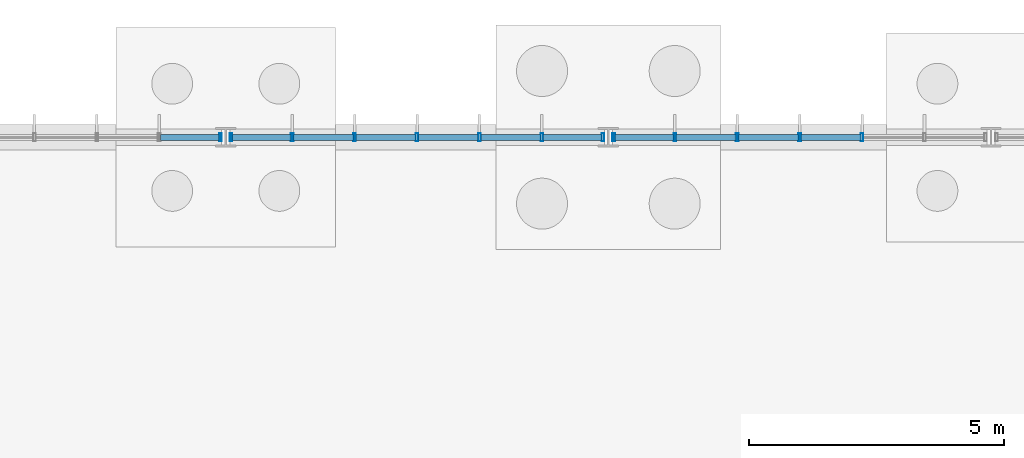
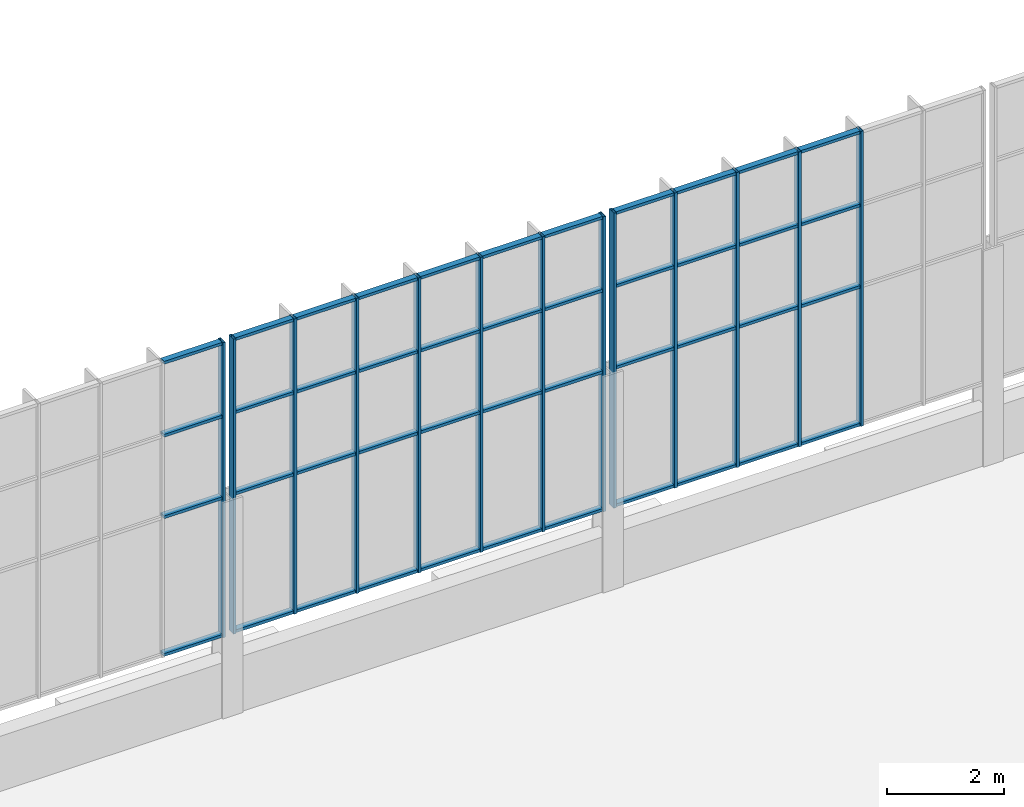
# One storey, part 66 of 136: 57 members, 3 elements without a shape of their own.
"""IFC4 building model written with IfcOpenShell, lengths in metres."""

from ifc_helpers import new_model, si_unit, direction, frame, origin, origin_2d, place, context, subcontext, project, spatial, hollow_rectangle, extrude, material, layer, layer_set, material_profile, profile_set, type_object, element, aggregate, save


model = new_model("IFC4")

# Units and contexts
model_context = context("Model", 3, precision=1e-05, world=origin(), true_north=direction((0.0, 1.0)))
body_context = subcontext(model_context, "Body", "Model", "MODEL_VIEW")
ifc_project = project(units=[si_unit("LENGTHUNIT", "METRE"), si_unit("AREAUNIT", "SQUARE_METRE"), si_unit("VOLUMEUNIT", "CUBIC_METRE"), si_unit("PLANEANGLEUNIT", "RADIAN"), si_unit("MASSUNIT", "GRAM", prefix="KILO")], contexts=[model_context])

# Site, building, storey
site_placement = place(None, origin())
site = spatial("IfcSite", under=ifc_project, at=site_placement, CompositionType="ELEMENT")
building_placement = place(site_placement, origin())
building = spatial("IfcBuilding", under=site, at=building_placement, Name="Solvenia Promenade Tram Depot", CompositionType="ELEMENT")
storey_placement = place(building_placement, origin())
storey = spatial("IfcBuildingStorey", under=building, at=storey_placement, Name="L00", CompositionType="ELEMENT", Elevation=0.0)

# Curtain wall, member
ifc_material = material(Name="Anodized aluminium AW-6063 T6", Category="aluminium")
ifc_layer = layer(ifc_material, 0.159912109375, Name="Anodized aluminium AW-6063 T6", Category="aluminium")
ifc_layer_set = layer_set([ifc_layer], Name="Anodized aluminium AW-6063 T6")
curtain_wall_type = type_object("IfcCurtainWallType", Name="CW-Channel-1200", PredefinedType="NOTDEFINED", material=ifc_layer_set)
curtain_wall_1_placement = place(storey_placement, origin())
curtain_wall_1 = element("IfcCurtainWall", 1, at=curtain_wall_1_placement, inside=storey, type_object=curtain_wall_type, Name="North Translucent Channel-Glass Wall 11", PredefinedType="NOTDEFINED")
ifc_material_profile_1 = material_profile(ifc_material, hollow_rectangle(XDim=0.159912109375, YDim=0.052001953125, WallThickness=0.00390625, at=origin_2d()), Name="ALU-M1", Category="aluminium")
ifc_profile_set_1 = profile_set([ifc_material_profile_1], Name="Anodized aluminium AW-6063 T6")
member_type_1 = type_object("IfcMemberType", Name="CWM-Mullion-1", PredefinedType="MULLION", material=ifc_profile_set_1)
member_1_placement = place(storey_placement, frame((82.39404296875, 126.0, 1.60009765625), z_axis=(0.0, 0.0, 1.0), x_axis=(0.0, 1.0, 0.0)))
member_1 = element("IfcMember", 2, at=member_1_placement, type_object=member_type_1, Name="CW-1 mullion 7", PredefinedType="MULLION", context=body_context, shape_type="SweptSolid", body=[
    extrude(hollow_rectangle(XDim=0.159912109375, YDim=0.052001953125, WallThickness=0.00390625, at=origin_2d()), origin(), (0.0, 0.0, 1.0), 6.14990234375),
])

# Curtain wall, members
curtain_wall_2_placement = place(storey_placement, origin())
curtain_wall_2 = element("IfcCurtainWall", 3, at=curtain_wall_2_placement, inside=storey, type_object=curtain_wall_type, Name="North Translucent Channel-Glass Wall 12", PredefinedType="NOTDEFINED")
member_2_placement = place(storey_placement, frame((82.60595703125, 126.0, 1.60009765625), z_axis=(0.0, 0.0, 1.0), x_axis=(0.0, 1.0, 0.0)))
member_2 = element("IfcMember", 4, at=member_2_placement, type_object=member_type_1, Name="CW-1 mullion 1", PredefinedType="MULLION", context=body_context, shape_type="SweptSolid", body=[
    extrude(hollow_rectangle(XDim=0.159912109375, YDim=0.052001953125, WallThickness=0.00390625, at=origin_2d()), origin(), (0.0, 0.0, 1.0), 6.14990234375),
])
member_3_placement = place(storey_placement, frame((83.80322265625, 126.0, 1.60009765625), z_axis=(0.0, 0.0, 1.0), x_axis=(0.0, 1.0, 0.0)))
member_3 = element("IfcMember", 5, at=member_3_placement, type_object=member_type_1, Name="CW-1 mullion 2", PredefinedType="MULLION", context=body_context, shape_type="SweptSolid", body=[
    extrude(hollow_rectangle(XDim=0.159912109375, YDim=0.052001953125, WallThickness=0.00390625, at=origin_2d()), origin(), (0.0, 0.0, 1.0), 6.14990234375),
])
member_4_placement = place(storey_placement, frame((85.026611328125, 126.0, 1.60009765625), z_axis=(0.0, 0.0, 1.0), x_axis=(0.0, 1.0, 0.0)))
member_4 = element("IfcMember", 6, at=member_4_placement, type_object=member_type_1, Name="CW-1 mullion 3", PredefinedType="MULLION", context=body_context, shape_type="SweptSolid", body=[
    extrude(hollow_rectangle(XDim=0.159912109375, YDim=0.052001953125, WallThickness=0.00390625, at=origin_2d()), origin(), (0.0, 0.0, 1.0), 6.14990234375),
])
member_5_placement = place(storey_placement, frame((86.25, 126.0, 1.60009765625), z_axis=(0.0, 0.0, 1.0), x_axis=(0.0, 1.0, 0.0)))
member_5 = element("IfcMember", 7, at=member_5_placement, type_object=member_type_1, Name="CW-1 mullion 4", PredefinedType="MULLION", context=body_context, shape_type="SweptSolid", body=[
    extrude(hollow_rectangle(XDim=0.159912109375, YDim=0.052001953125, WallThickness=0.00390625, at=origin_2d()), origin(), (0.0, 0.0, 1.0), 6.14990234375),
])
member_6_placement = place(storey_placement, frame((87.473388671875, 126.0, 1.60009765625), z_axis=(0.0, 0.0, 1.0), x_axis=(0.0, 1.0, 0.0)))
member_6 = element("IfcMember", 8, at=member_6_placement, type_object=member_type_1, Name="CW-1 mullion 5", PredefinedType="MULLION", context=body_context, shape_type="SweptSolid", body=[
    extrude(hollow_rectangle(XDim=0.159912109375, YDim=0.052001953125, WallThickness=0.00390625, at=origin_2d()), origin(), (0.0, 0.0, 1.0), 6.14990234375),
])
member_7_placement = place(storey_placement, frame((88.69677734375, 126.0, 1.60009765625), z_axis=(0.0, 0.0, 1.0), x_axis=(0.0, 1.0, 0.0)))
member_7 = element("IfcMember", 9, at=member_7_placement, type_object=member_type_1, Name="CW-1 mullion 6", PredefinedType="MULLION", context=body_context, shape_type="SweptSolid", body=[
    extrude(hollow_rectangle(XDim=0.159912109375, YDim=0.052001953125, WallThickness=0.00390625, at=origin_2d()), origin(), (0.0, 0.0, 1.0), 6.14990234375),
])
member_8_placement = place(storey_placement, frame((89.89404296875, 126.0, 1.60009765625), z_axis=(0.0, 0.0, 1.0), x_axis=(0.0, 1.0, 0.0)))
member_8 = element("IfcMember", 10, at=member_8_placement, type_object=member_type_1, Name="CW-1 mullion 7", PredefinedType="MULLION", context=body_context, shape_type="SweptSolid", body=[
    extrude(hollow_rectangle(XDim=0.159912109375, YDim=0.052001953125, WallThickness=0.00390625, at=origin_2d()), origin(), (0.0, 0.0, 1.0), 6.14990234375),
])

curtain_wall_3_placement = place(storey_placement, origin())
curtain_wall_3 = element("IfcCurtainWall", 11, at=curtain_wall_3_placement, inside=storey, type_object=curtain_wall_type, Name="North Translucent Channel-Glass Wall 13", PredefinedType="NOTDEFINED")
member_9_placement = place(storey_placement, frame((90.10595703125, 126.0, 1.60009765625), z_axis=(0.0, 0.0, 1.0), x_axis=(0.0, 1.0, 0.0)))
member_9 = element("IfcMember", 12, at=member_9_placement, type_object=member_type_1, Name="CW-1 mullion 1", PredefinedType="MULLION", context=body_context, shape_type="SweptSolid", body=[
    extrude(hollow_rectangle(XDim=0.159912109375, YDim=0.052001953125, WallThickness=0.00390625, at=origin_2d()), origin(), (0.0, 0.0, 1.0), 6.14990234375),
])
member_10_placement = place(storey_placement, frame((91.30322265625, 126.0, 1.60009765625), z_axis=(0.0, 0.0, 1.0), x_axis=(0.0, 1.0, 0.0)))
member_10 = element("IfcMember", 13, at=member_10_placement, type_object=member_type_1, Name="CW-1 mullion 2", PredefinedType="MULLION", context=body_context, shape_type="SweptSolid", body=[
    extrude(hollow_rectangle(XDim=0.159912109375, YDim=0.052001953125, WallThickness=0.00390625, at=origin_2d()), origin(), (0.0, 0.0, 1.0), 6.14990234375),
])
member_11_placement = place(storey_placement, frame((92.526611328125, 126.0, 1.60009765625), z_axis=(0.0, 0.0, 1.0), x_axis=(0.0, 1.0, 0.0)))
member_11 = element("IfcMember", 14, at=member_11_placement, type_object=member_type_1, Name="CW-1 mullion 3", PredefinedType="MULLION", context=body_context, shape_type="SweptSolid", body=[
    extrude(hollow_rectangle(XDim=0.159912109375, YDim=0.052001953125, WallThickness=0.00390625, at=origin_2d()), origin(), (0.0, 0.0, 1.0), 6.14990234375),
])
member_12_placement = place(storey_placement, frame((93.75, 126.0, 1.60009765625), z_axis=(0.0, 0.0, 1.0), x_axis=(0.0, 1.0, 0.0)))
member_12 = element("IfcMember", 15, at=member_12_placement, type_object=member_type_1, Name="CW-1 mullion 4", PredefinedType="MULLION", context=body_context, shape_type="SweptSolid", body=[
    extrude(hollow_rectangle(XDim=0.159912109375, YDim=0.052001953125, WallThickness=0.00390625, at=origin_2d()), origin(), (0.0, 0.0, 1.0), 6.14990234375),
])
member_13_placement = place(storey_placement, frame((94.973388671875, 126.0, 1.60009765625), z_axis=(0.0, 0.0, 1.0), x_axis=(0.0, 1.0, 0.0)))
member_13 = element("IfcMember", 16, at=member_13_placement, type_object=member_type_1, Name="CW-1 mullion 5", PredefinedType="MULLION", context=body_context, shape_type="SweptSolid", body=[
    extrude(hollow_rectangle(XDim=0.159912109375, YDim=0.052001953125, WallThickness=0.00390625, at=origin_2d()), origin(), (0.0, 0.0, 1.0), 6.14990234375),
])

# Member
ifc_material_profile_2 = material_profile(ifc_material, hollow_rectangle(XDim=0.1201171875, YDim=0.06005859375, WallThickness=0.00390625, at=origin_2d()), Name="ALU-T1", Category="aluminium")
ifc_profile_set_2 = profile_set([ifc_material_profile_2], Name="Anodized aluminium AW-6063 T6")
member_type_2 = type_object("IfcMemberType", Name="CWT-Transom-1", PredefinedType="USERDEFINED", material=ifc_profile_set_2)
member_14_placement = place(storey_placement, frame((81.22265625, 126.0, 1.6298828125), z_axis=(1.0, 0.0, 0.0), x_axis=(0.0, 1.0, 0.0)))
member_14 = element("IfcMember", 17, at=member_14_placement, type_object=member_type_2, Name="CW-1 transom 6.1", ObjectType="TRANSOM", PredefinedType="USERDEFINED", context=body_context, shape_type="SweptSolid", body=[
    extrude(hollow_rectangle(XDim=0.1201171875, YDim=0.06005859375, WallThickness=0.00390625, at=origin_2d()), origin(), (0.0, 0.0, 1.0), 1.145263671875),
])

member_15_placement = place(storey_placement, frame((81.22265625, 126.0, 4.5), z_axis=(1.0, 0.0, 0.0), x_axis=(0.0, 1.0, 0.0)))
member_15 = element("IfcMember", 18, at=member_15_placement, type_object=member_type_2, Name="CW-1 transom 6.2", ObjectType="TRANSOM", PredefinedType="USERDEFINED", context=body_context, shape_type="SweptSolid", body=[
    extrude(hollow_rectangle(XDim=0.1201171875, YDim=0.06005859375, WallThickness=0.00390625, at=origin_2d()), origin(), (0.0, 0.0, 1.0), 1.145263671875),
])

member_16_placement = place(storey_placement, frame((81.22265625, 126.0, 6.199951171875), z_axis=(1.0, 0.0, 0.0), x_axis=(0.0, 1.0, 0.0)))
member_16 = element("IfcMember", 19, at=member_16_placement, type_object=member_type_2, Name="CW-1 transom 6.3", ObjectType="TRANSOM", PredefinedType="USERDEFINED", context=body_context, shape_type="SweptSolid", body=[
    extrude(hollow_rectangle(XDim=0.1201171875, YDim=0.06005859375, WallThickness=0.00390625, at=origin_2d()), origin(), (0.0, 0.0, 1.0), 1.145263671875),
])

member_17_placement = place(storey_placement, frame((81.22265625, 126.0, 7.719970703125), z_axis=(1.0, 0.0, 0.0), x_axis=(0.0, 1.0, 0.0)))
member_17 = element("IfcMember", 20, at=member_17_placement, type_object=member_type_2, Name="CW-1 transom 6.4", ObjectType="TRANSOM", PredefinedType="USERDEFINED", context=body_context, shape_type="SweptSolid", body=[
    extrude(hollow_rectangle(XDim=0.1201171875, YDim=0.06005859375, WallThickness=0.00390625, at=origin_2d()), origin(), (0.0, 0.0, 1.0), 1.145263671875),
])

aggregate(curtain_wall_1, [member_1, member_14, member_15, member_16, member_17])

member_18_placement = place(storey_placement, frame((82.632080078125, 126.0, 1.6298828125), z_axis=(1.0, 0.0, 0.0), x_axis=(0.0, 1.0, 0.0)))
member_18 = element("IfcMember", 21, at=member_18_placement, type_object=member_type_2, Name="CW-1 transom 1.1", ObjectType="TRANSOM", PredefinedType="USERDEFINED", context=body_context, shape_type="SweptSolid", body=[
    extrude(hollow_rectangle(XDim=0.1201171875, YDim=0.06005859375, WallThickness=0.00390625, at=origin_2d()), origin(), (0.0, 0.0, 1.0), 1.145263671875),
])

member_19_placement = place(storey_placement, frame((82.632080078125, 126.0, 4.5), z_axis=(1.0, 0.0, 0.0), x_axis=(0.0, 1.0, 0.0)))
member_19 = element("IfcMember", 22, at=member_19_placement, type_object=member_type_2, Name="CW-1 transom 1.2", ObjectType="TRANSOM", PredefinedType="USERDEFINED", context=body_context, shape_type="SweptSolid", body=[
    extrude(hollow_rectangle(XDim=0.1201171875, YDim=0.06005859375, WallThickness=0.00390625, at=origin_2d()), origin(), (0.0, 0.0, 1.0), 1.145263671875),
])

member_20_placement = place(storey_placement, frame((82.632080078125, 126.0, 6.199951171875), z_axis=(1.0, 0.0, 0.0), x_axis=(0.0, 1.0, 0.0)))
member_20 = element("IfcMember", 23, at=member_20_placement, type_object=member_type_2, Name="CW-1 transom 1.3", ObjectType="TRANSOM", PredefinedType="USERDEFINED", context=body_context, shape_type="SweptSolid", body=[
    extrude(hollow_rectangle(XDim=0.1201171875, YDim=0.06005859375, WallThickness=0.00390625, at=origin_2d()), origin(), (0.0, 0.0, 1.0), 1.145263671875),
])

member_21_placement = place(storey_placement, frame((82.632080078125, 126.0, 7.719970703125), z_axis=(1.0, 0.0, 0.0), x_axis=(0.0, 1.0, 0.0)))
member_21 = element("IfcMember", 24, at=member_21_placement, type_object=member_type_2, Name="CW-1 transom 1.4", ObjectType="TRANSOM", PredefinedType="USERDEFINED", context=body_context, shape_type="SweptSolid", body=[
    extrude(hollow_rectangle(XDim=0.1201171875, YDim=0.06005859375, WallThickness=0.00390625, at=origin_2d()), origin(), (0.0, 0.0, 1.0), 1.145263671875),
])

member_22_placement = place(storey_placement, frame((83.829345703125, 126.0, 1.6298828125), z_axis=(1.0, 0.0, 0.0), x_axis=(0.0, 1.0, 0.0)))
member_22 = element("IfcMember", 25, at=member_22_placement, type_object=member_type_2, Name="CW-1 transom 2.1", ObjectType="TRANSOM", PredefinedType="USERDEFINED", context=body_context, shape_type="SweptSolid", body=[
    extrude(hollow_rectangle(XDim=0.1201171875, YDim=0.06005859375, WallThickness=0.00390625, at=origin_2d()), origin(), (0.0, 0.0, 1.0), 1.17138671875),
])

member_23_placement = place(storey_placement, frame((83.829345703125, 126.0, 4.5), z_axis=(1.0, 0.0, 0.0), x_axis=(0.0, 1.0, 0.0)))
member_23 = element("IfcMember", 26, at=member_23_placement, type_object=member_type_2, Name="CW-1 transom 2.2", ObjectType="TRANSOM", PredefinedType="USERDEFINED", context=body_context, shape_type="SweptSolid", body=[
    extrude(hollow_rectangle(XDim=0.1201171875, YDim=0.06005859375, WallThickness=0.00390625, at=origin_2d()), origin(), (0.0, 0.0, 1.0), 1.17138671875),
])

member_24_placement = place(storey_placement, frame((83.829345703125, 126.0, 6.199951171875), z_axis=(1.0, 0.0, 0.0), x_axis=(0.0, 1.0, 0.0)))
member_24 = element("IfcMember", 27, at=member_24_placement, type_object=member_type_2, Name="CW-1 transom 2.3", ObjectType="TRANSOM", PredefinedType="USERDEFINED", context=body_context, shape_type="SweptSolid", body=[
    extrude(hollow_rectangle(XDim=0.1201171875, YDim=0.06005859375, WallThickness=0.00390625, at=origin_2d()), origin(), (0.0, 0.0, 1.0), 1.17138671875),
])

member_25_placement = place(storey_placement, frame((83.829345703125, 126.0, 7.719970703125), z_axis=(1.0, 0.0, 0.0), x_axis=(0.0, 1.0, 0.0)))
member_25 = element("IfcMember", 28, at=member_25_placement, type_object=member_type_2, Name="CW-1 transom 2.4", ObjectType="TRANSOM", PredefinedType="USERDEFINED", context=body_context, shape_type="SweptSolid", body=[
    extrude(hollow_rectangle(XDim=0.1201171875, YDim=0.06005859375, WallThickness=0.00390625, at=origin_2d()), origin(), (0.0, 0.0, 1.0), 1.17138671875),
])

member_26_placement = place(storey_placement, frame((85.052734375, 126.0, 1.6298828125), z_axis=(1.0, 0.0, 0.0), x_axis=(0.0, 1.0, 0.0)))
member_26 = element("IfcMember", 29, at=member_26_placement, type_object=member_type_2, Name="CW-1 transom 3.1", ObjectType="TRANSOM", PredefinedType="USERDEFINED", context=body_context, shape_type="SweptSolid", body=[
    extrude(hollow_rectangle(XDim=0.1201171875, YDim=0.06005859375, WallThickness=0.00390625, at=origin_2d()), origin(), (0.0, 0.0, 1.0), 1.17138671875),
])

member_27_placement = place(storey_placement, frame((85.052734375, 126.0, 4.5), z_axis=(1.0, 0.0, 0.0), x_axis=(0.0, 1.0, 0.0)))
member_27 = element("IfcMember", 30, at=member_27_placement, type_object=member_type_2, Name="CW-1 transom 3.2", ObjectType="TRANSOM", PredefinedType="USERDEFINED", context=body_context, shape_type="SweptSolid", body=[
    extrude(hollow_rectangle(XDim=0.1201171875, YDim=0.06005859375, WallThickness=0.00390625, at=origin_2d()), origin(), (0.0, 0.0, 1.0), 1.17138671875),
])

member_28_placement = place(storey_placement, frame((85.052734375, 126.0, 6.199951171875), z_axis=(1.0, 0.0, 0.0), x_axis=(0.0, 1.0, 0.0)))
member_28 = element("IfcMember", 31, at=member_28_placement, type_object=member_type_2, Name="CW-1 transom 3.3", ObjectType="TRANSOM", PredefinedType="USERDEFINED", context=body_context, shape_type="SweptSolid", body=[
    extrude(hollow_rectangle(XDim=0.1201171875, YDim=0.06005859375, WallThickness=0.00390625, at=origin_2d()), origin(), (0.0, 0.0, 1.0), 1.17138671875),
])

member_29_placement = place(storey_placement, frame((85.052734375, 126.0, 7.719970703125), z_axis=(1.0, 0.0, 0.0), x_axis=(0.0, 1.0, 0.0)))
member_29 = element("IfcMember", 32, at=member_29_placement, type_object=member_type_2, Name="CW-1 transom 3.4", ObjectType="TRANSOM", PredefinedType="USERDEFINED", context=body_context, shape_type="SweptSolid", body=[
    extrude(hollow_rectangle(XDim=0.1201171875, YDim=0.06005859375, WallThickness=0.00390625, at=origin_2d()), origin(), (0.0, 0.0, 1.0), 1.17138671875),
])

member_30_placement = place(storey_placement, frame((86.27587890625, 126.0, 1.6298828125), z_axis=(1.0, 0.0, 0.0), x_axis=(0.0, 1.0, 0.0)))
member_30 = element("IfcMember", 33, at=member_30_placement, type_object=member_type_2, Name="CW-1 transom 4.1", ObjectType="TRANSOM", PredefinedType="USERDEFINED", context=body_context, shape_type="SweptSolid", body=[
    extrude(hollow_rectangle(XDim=0.1201171875, YDim=0.06005859375, WallThickness=0.00390625, at=origin_2d()), origin(), (0.0, 0.0, 1.0), 1.17138671875),
])

member_31_placement = place(storey_placement, frame((86.27587890625, 126.0, 4.5), z_axis=(1.0, 0.0, 0.0), x_axis=(0.0, 1.0, 0.0)))
member_31 = element("IfcMember", 34, at=member_31_placement, type_object=member_type_2, Name="CW-1 transom 4.2", ObjectType="TRANSOM", PredefinedType="USERDEFINED", context=body_context, shape_type="SweptSolid", body=[
    extrude(hollow_rectangle(XDim=0.1201171875, YDim=0.06005859375, WallThickness=0.00390625, at=origin_2d()), origin(), (0.0, 0.0, 1.0), 1.17138671875),
])

member_32_placement = place(storey_placement, frame((86.27587890625, 126.0, 6.199951171875), z_axis=(1.0, 0.0, 0.0), x_axis=(0.0, 1.0, 0.0)))
member_32 = element("IfcMember", 35, at=member_32_placement, type_object=member_type_2, Name="CW-1 transom 4.3", ObjectType="TRANSOM", PredefinedType="USERDEFINED", context=body_context, shape_type="SweptSolid", body=[
    extrude(hollow_rectangle(XDim=0.1201171875, YDim=0.06005859375, WallThickness=0.00390625, at=origin_2d()), origin(), (0.0, 0.0, 1.0), 1.17138671875),
])

member_33_placement = place(storey_placement, frame((86.27587890625, 126.0, 7.719970703125), z_axis=(1.0, 0.0, 0.0), x_axis=(0.0, 1.0, 0.0)))
member_33 = element("IfcMember", 36, at=member_33_placement, type_object=member_type_2, Name="CW-1 transom 4.4", ObjectType="TRANSOM", PredefinedType="USERDEFINED", context=body_context, shape_type="SweptSolid", body=[
    extrude(hollow_rectangle(XDim=0.1201171875, YDim=0.06005859375, WallThickness=0.00390625, at=origin_2d()), origin(), (0.0, 0.0, 1.0), 1.17138671875),
])

member_34_placement = place(storey_placement, frame((87.499267578125, 126.0, 1.6298828125), z_axis=(1.0, 0.0, 0.0), x_axis=(0.0, 1.0, 0.0)))
member_34 = element("IfcMember", 37, at=member_34_placement, type_object=member_type_2, Name="CW-1 transom 5.1", ObjectType="TRANSOM", PredefinedType="USERDEFINED", context=body_context, shape_type="SweptSolid", body=[
    extrude(hollow_rectangle(XDim=0.1201171875, YDim=0.06005859375, WallThickness=0.00390625, at=origin_2d()), origin(), (0.0, 0.0, 1.0), 1.17138671875),
])

member_35_placement = place(storey_placement, frame((87.499267578125, 126.0, 4.5), z_axis=(1.0, 0.0, 0.0), x_axis=(0.0, 1.0, 0.0)))
member_35 = element("IfcMember", 38, at=member_35_placement, type_object=member_type_2, Name="CW-1 transom 5.2", ObjectType="TRANSOM", PredefinedType="USERDEFINED", context=body_context, shape_type="SweptSolid", body=[
    extrude(hollow_rectangle(XDim=0.1201171875, YDim=0.06005859375, WallThickness=0.00390625, at=origin_2d()), origin(), (0.0, 0.0, 1.0), 1.17138671875),
])

member_36_placement = place(storey_placement, frame((87.499267578125, 126.0, 6.199951171875), z_axis=(1.0, 0.0, 0.0), x_axis=(0.0, 1.0, 0.0)))
member_36 = element("IfcMember", 39, at=member_36_placement, type_object=member_type_2, Name="CW-1 transom 5.3", ObjectType="TRANSOM", PredefinedType="USERDEFINED", context=body_context, shape_type="SweptSolid", body=[
    extrude(hollow_rectangle(XDim=0.1201171875, YDim=0.06005859375, WallThickness=0.00390625, at=origin_2d()), origin(), (0.0, 0.0, 1.0), 1.17138671875),
])

member_37_placement = place(storey_placement, frame((87.499267578125, 126.0, 7.719970703125), z_axis=(1.0, 0.0, 0.0), x_axis=(0.0, 1.0, 0.0)))
member_37 = element("IfcMember", 40, at=member_37_placement, type_object=member_type_2, Name="CW-1 transom 5.4", ObjectType="TRANSOM", PredefinedType="USERDEFINED", context=body_context, shape_type="SweptSolid", body=[
    extrude(hollow_rectangle(XDim=0.1201171875, YDim=0.06005859375, WallThickness=0.00390625, at=origin_2d()), origin(), (0.0, 0.0, 1.0), 1.17138671875),
])

member_38_placement = place(storey_placement, frame((88.72265625, 126.0, 1.6298828125), z_axis=(1.0, 0.0, 0.0), x_axis=(0.0, 1.0, 0.0)))
member_38 = element("IfcMember", 41, at=member_38_placement, type_object=member_type_2, Name="CW-1 transom 6.1", ObjectType="TRANSOM", PredefinedType="USERDEFINED", context=body_context, shape_type="SweptSolid", body=[
    extrude(hollow_rectangle(XDim=0.1201171875, YDim=0.06005859375, WallThickness=0.00390625, at=origin_2d()), origin(), (0.0, 0.0, 1.0), 1.145263671875),
])

member_39_placement = place(storey_placement, frame((88.72265625, 126.0, 4.5), z_axis=(1.0, 0.0, 0.0), x_axis=(0.0, 1.0, 0.0)))
member_39 = element("IfcMember", 42, at=member_39_placement, type_object=member_type_2, Name="CW-1 transom 6.2", ObjectType="TRANSOM", PredefinedType="USERDEFINED", context=body_context, shape_type="SweptSolid", body=[
    extrude(hollow_rectangle(XDim=0.1201171875, YDim=0.06005859375, WallThickness=0.00390625, at=origin_2d()), origin(), (0.0, 0.0, 1.0), 1.145263671875),
])

member_40_placement = place(storey_placement, frame((88.72265625, 126.0, 6.199951171875), z_axis=(1.0, 0.0, 0.0), x_axis=(0.0, 1.0, 0.0)))
member_40 = element("IfcMember", 43, at=member_40_placement, type_object=member_type_2, Name="CW-1 transom 6.3", ObjectType="TRANSOM", PredefinedType="USERDEFINED", context=body_context, shape_type="SweptSolid", body=[
    extrude(hollow_rectangle(XDim=0.1201171875, YDim=0.06005859375, WallThickness=0.00390625, at=origin_2d()), origin(), (0.0, 0.0, 1.0), 1.145263671875),
])

member_41_placement = place(storey_placement, frame((88.72265625, 126.0, 7.719970703125), z_axis=(1.0, 0.0, 0.0), x_axis=(0.0, 1.0, 0.0)))
member_41 = element("IfcMember", 44, at=member_41_placement, type_object=member_type_2, Name="CW-1 transom 6.4", ObjectType="TRANSOM", PredefinedType="USERDEFINED", context=body_context, shape_type="SweptSolid", body=[
    extrude(hollow_rectangle(XDim=0.1201171875, YDim=0.06005859375, WallThickness=0.00390625, at=origin_2d()), origin(), (0.0, 0.0, 1.0), 1.145263671875),
])

aggregate(curtain_wall_2, [member_2, member_3, member_4, member_5, member_6, member_7, member_8, member_18, member_19, member_20, member_21, member_22, member_23, member_24, member_25, member_26, member_27, member_28, member_29, member_30, member_31, member_32, member_33, member_34, member_35, member_36, member_37, member_38, member_39, member_40, member_41])

member_42_placement = place(storey_placement, frame((90.132080078125, 126.0, 1.6298828125), z_axis=(1.0, 0.0, 0.0), x_axis=(0.0, 1.0, 0.0)))
member_42 = element("IfcMember", 45, at=member_42_placement, type_object=member_type_2, Name="CW-1 transom 1.1", ObjectType="TRANSOM", PredefinedType="USERDEFINED", context=body_context, shape_type="SweptSolid", body=[
    extrude(hollow_rectangle(XDim=0.1201171875, YDim=0.06005859375, WallThickness=0.00390625, at=origin_2d()), origin(), (0.0, 0.0, 1.0), 1.145263671875),
])

member_43_placement = place(storey_placement, frame((90.132080078125, 126.0, 4.5), z_axis=(1.0, 0.0, 0.0), x_axis=(0.0, 1.0, 0.0)))
member_43 = element("IfcMember", 46, at=member_43_placement, type_object=member_type_2, Name="CW-1 transom 1.2", ObjectType="TRANSOM", PredefinedType="USERDEFINED", context=body_context, shape_type="SweptSolid", body=[
    extrude(hollow_rectangle(XDim=0.1201171875, YDim=0.06005859375, WallThickness=0.00390625, at=origin_2d()), origin(), (0.0, 0.0, 1.0), 1.145263671875),
])

member_44_placement = place(storey_placement, frame((90.132080078125, 126.0, 6.199951171875), z_axis=(1.0, 0.0, 0.0), x_axis=(0.0, 1.0, 0.0)))
member_44 = element("IfcMember", 47, at=member_44_placement, type_object=member_type_2, Name="CW-1 transom 1.3", ObjectType="TRANSOM", PredefinedType="USERDEFINED", context=body_context, shape_type="SweptSolid", body=[
    extrude(hollow_rectangle(XDim=0.1201171875, YDim=0.06005859375, WallThickness=0.00390625, at=origin_2d()), origin(), (0.0, 0.0, 1.0), 1.145263671875),
])

member_45_placement = place(storey_placement, frame((90.132080078125, 126.0, 7.719970703125), z_axis=(1.0, 0.0, 0.0), x_axis=(0.0, 1.0, 0.0)))
member_45 = element("IfcMember", 48, at=member_45_placement, type_object=member_type_2, Name="CW-1 transom 1.4", ObjectType="TRANSOM", PredefinedType="USERDEFINED", context=body_context, shape_type="SweptSolid", body=[
    extrude(hollow_rectangle(XDim=0.1201171875, YDim=0.06005859375, WallThickness=0.00390625, at=origin_2d()), origin(), (0.0, 0.0, 1.0), 1.145263671875),
])

member_46_placement = place(storey_placement, frame((91.329345703125, 126.0, 1.6298828125), z_axis=(1.0, 0.0, 0.0), x_axis=(0.0, 1.0, 0.0)))
member_46 = element("IfcMember", 49, at=member_46_placement, type_object=member_type_2, Name="CW-1 transom 2.1", ObjectType="TRANSOM", PredefinedType="USERDEFINED", context=body_context, shape_type="SweptSolid", body=[
    extrude(hollow_rectangle(XDim=0.1201171875, YDim=0.06005859375, WallThickness=0.00390625, at=origin_2d()), origin(), (0.0, 0.0, 1.0), 1.17138671875),
])

member_47_placement = place(storey_placement, frame((91.329345703125, 126.0, 4.5), z_axis=(1.0, 0.0, 0.0), x_axis=(0.0, 1.0, 0.0)))
member_47 = element("IfcMember", 50, at=member_47_placement, type_object=member_type_2, Name="CW-1 transom 2.2", ObjectType="TRANSOM", PredefinedType="USERDEFINED", context=body_context, shape_type="SweptSolid", body=[
    extrude(hollow_rectangle(XDim=0.1201171875, YDim=0.06005859375, WallThickness=0.00390625, at=origin_2d()), origin(), (0.0, 0.0, 1.0), 1.17138671875),
])

member_48_placement = place(storey_placement, frame((91.329345703125, 126.0, 6.199951171875), z_axis=(1.0, 0.0, 0.0), x_axis=(0.0, 1.0, 0.0)))
member_48 = element("IfcMember", 51, at=member_48_placement, type_object=member_type_2, Name="CW-1 transom 2.3", ObjectType="TRANSOM", PredefinedType="USERDEFINED", context=body_context, shape_type="SweptSolid", body=[
    extrude(hollow_rectangle(XDim=0.1201171875, YDim=0.06005859375, WallThickness=0.00390625, at=origin_2d()), origin(), (0.0, 0.0, 1.0), 1.17138671875),
])

member_49_placement = place(storey_placement, frame((91.329345703125, 126.0, 7.719970703125), z_axis=(1.0, 0.0, 0.0), x_axis=(0.0, 1.0, 0.0)))
member_49 = element("IfcMember", 52, at=member_49_placement, type_object=member_type_2, Name="CW-1 transom 2.4", ObjectType="TRANSOM", PredefinedType="USERDEFINED", context=body_context, shape_type="SweptSolid", body=[
    extrude(hollow_rectangle(XDim=0.1201171875, YDim=0.06005859375, WallThickness=0.00390625, at=origin_2d()), origin(), (0.0, 0.0, 1.0), 1.17138671875),
])

member_50_placement = place(storey_placement, frame((92.552734375, 126.0, 1.6298828125), z_axis=(1.0, 0.0, 0.0), x_axis=(0.0, 1.0, 0.0)))
member_50 = element("IfcMember", 53, at=member_50_placement, type_object=member_type_2, Name="CW-1 transom 3.1", ObjectType="TRANSOM", PredefinedType="USERDEFINED", context=body_context, shape_type="SweptSolid", body=[
    extrude(hollow_rectangle(XDim=0.1201171875, YDim=0.06005859375, WallThickness=0.00390625, at=origin_2d()), origin(), (0.0, 0.0, 1.0), 1.17138671875),
])

member_51_placement = place(storey_placement, frame((92.552734375, 126.0, 4.5), z_axis=(1.0, 0.0, 0.0), x_axis=(0.0, 1.0, 0.0)))
member_51 = element("IfcMember", 54, at=member_51_placement, type_object=member_type_2, Name="CW-1 transom 3.2", ObjectType="TRANSOM", PredefinedType="USERDEFINED", context=body_context, shape_type="SweptSolid", body=[
    extrude(hollow_rectangle(XDim=0.1201171875, YDim=0.06005859375, WallThickness=0.00390625, at=origin_2d()), origin(), (0.0, 0.0, 1.0), 1.17138671875),
])

member_52_placement = place(storey_placement, frame((92.552734375, 126.0, 6.199951171875), z_axis=(1.0, 0.0, 0.0), x_axis=(0.0, 1.0, 0.0)))
member_52 = element("IfcMember", 55, at=member_52_placement, type_object=member_type_2, Name="CW-1 transom 3.3", ObjectType="TRANSOM", PredefinedType="USERDEFINED", context=body_context, shape_type="SweptSolid", body=[
    extrude(hollow_rectangle(XDim=0.1201171875, YDim=0.06005859375, WallThickness=0.00390625, at=origin_2d()), origin(), (0.0, 0.0, 1.0), 1.17138671875),
])

member_53_placement = place(storey_placement, frame((92.552734375, 126.0, 7.719970703125), z_axis=(1.0, 0.0, 0.0), x_axis=(0.0, 1.0, 0.0)))
member_53 = element("IfcMember", 56, at=member_53_placement, type_object=member_type_2, Name="CW-1 transom 3.4", ObjectType="TRANSOM", PredefinedType="USERDEFINED", context=body_context, shape_type="SweptSolid", body=[
    extrude(hollow_rectangle(XDim=0.1201171875, YDim=0.06005859375, WallThickness=0.00390625, at=origin_2d()), origin(), (0.0, 0.0, 1.0), 1.17138671875),
])

member_54_placement = place(storey_placement, frame((93.77587890625, 126.0, 1.6298828125), z_axis=(1.0, 0.0, 0.0), x_axis=(0.0, 1.0, 0.0)))
member_54 = element("IfcMember", 57, at=member_54_placement, type_object=member_type_2, Name="CW-1 transom 4.1", ObjectType="TRANSOM", PredefinedType="USERDEFINED", context=body_context, shape_type="SweptSolid", body=[
    extrude(hollow_rectangle(XDim=0.1201171875, YDim=0.06005859375, WallThickness=0.00390625, at=origin_2d()), origin(), (0.0, 0.0, 1.0), 1.17138671875),
])

member_55_placement = place(storey_placement, frame((93.77587890625, 126.0, 4.5), z_axis=(1.0, 0.0, 0.0), x_axis=(0.0, 1.0, 0.0)))
member_55 = element("IfcMember", 58, at=member_55_placement, type_object=member_type_2, Name="CW-1 transom 4.2", ObjectType="TRANSOM", PredefinedType="USERDEFINED", context=body_context, shape_type="SweptSolid", body=[
    extrude(hollow_rectangle(XDim=0.1201171875, YDim=0.06005859375, WallThickness=0.00390625, at=origin_2d()), origin(), (0.0, 0.0, 1.0), 1.17138671875),
])

member_56_placement = place(storey_placement, frame((93.77587890625, 126.0, 6.199951171875), z_axis=(1.0, 0.0, 0.0), x_axis=(0.0, 1.0, 0.0)))
member_56 = element("IfcMember", 59, at=member_56_placement, type_object=member_type_2, Name="CW-1 transom 4.3", ObjectType="TRANSOM", PredefinedType="USERDEFINED", context=body_context, shape_type="SweptSolid", body=[
    extrude(hollow_rectangle(XDim=0.1201171875, YDim=0.06005859375, WallThickness=0.00390625, at=origin_2d()), origin(), (0.0, 0.0, 1.0), 1.17138671875),
])

member_57_placement = place(storey_placement, frame((93.77587890625, 126.0, 7.719970703125), z_axis=(1.0, 0.0, 0.0), x_axis=(0.0, 1.0, 0.0)))
member_57 = element("IfcMember", 60, at=member_57_placement, type_object=member_type_2, Name="CW-1 transom 4.4", ObjectType="TRANSOM", PredefinedType="USERDEFINED", context=body_context, shape_type="SweptSolid", body=[
    extrude(hollow_rectangle(XDim=0.1201171875, YDim=0.06005859375, WallThickness=0.00390625, at=origin_2d()), origin(), (0.0, 0.0, 1.0), 1.17138671875),
])

aggregate(curtain_wall_3, [member_9, member_10, member_11, member_12, member_13, member_42, member_43, member_44, member_45, member_46, member_47, member_48, member_49, member_50, member_51, member_52, member_53, member_54, member_55, member_56, member_57])

save(model, "model.ifc")
